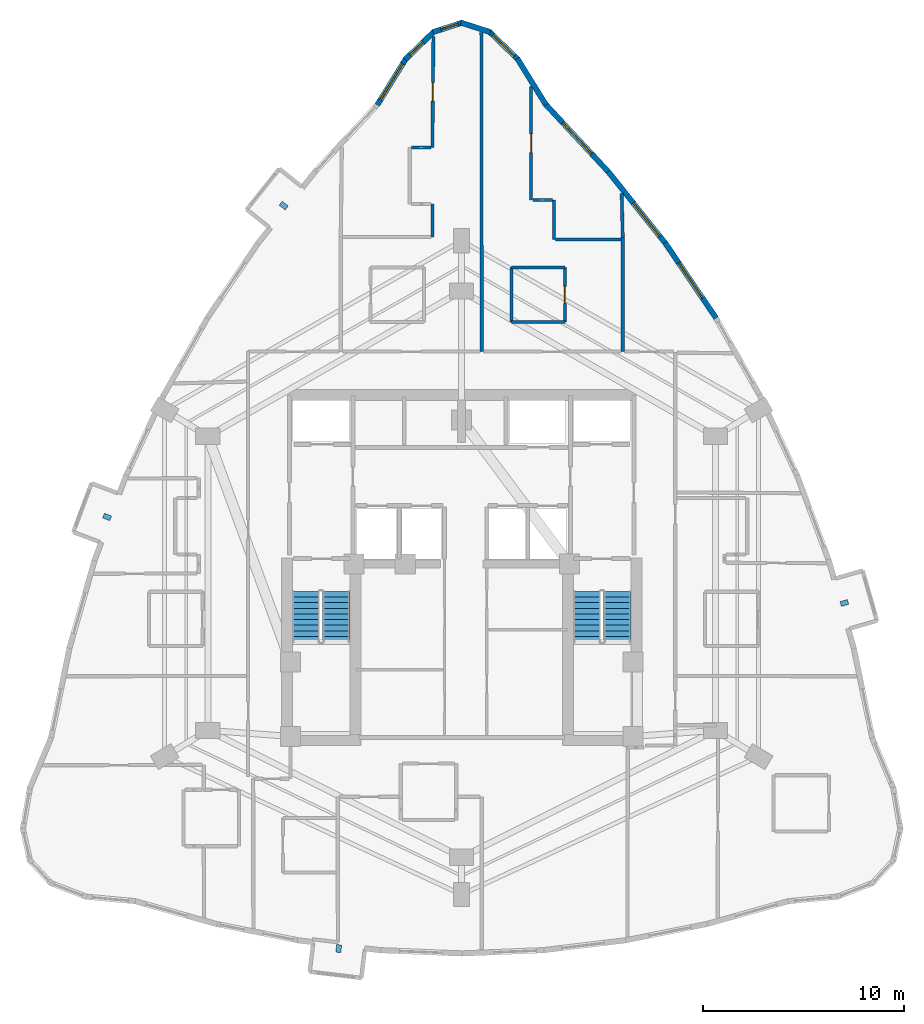
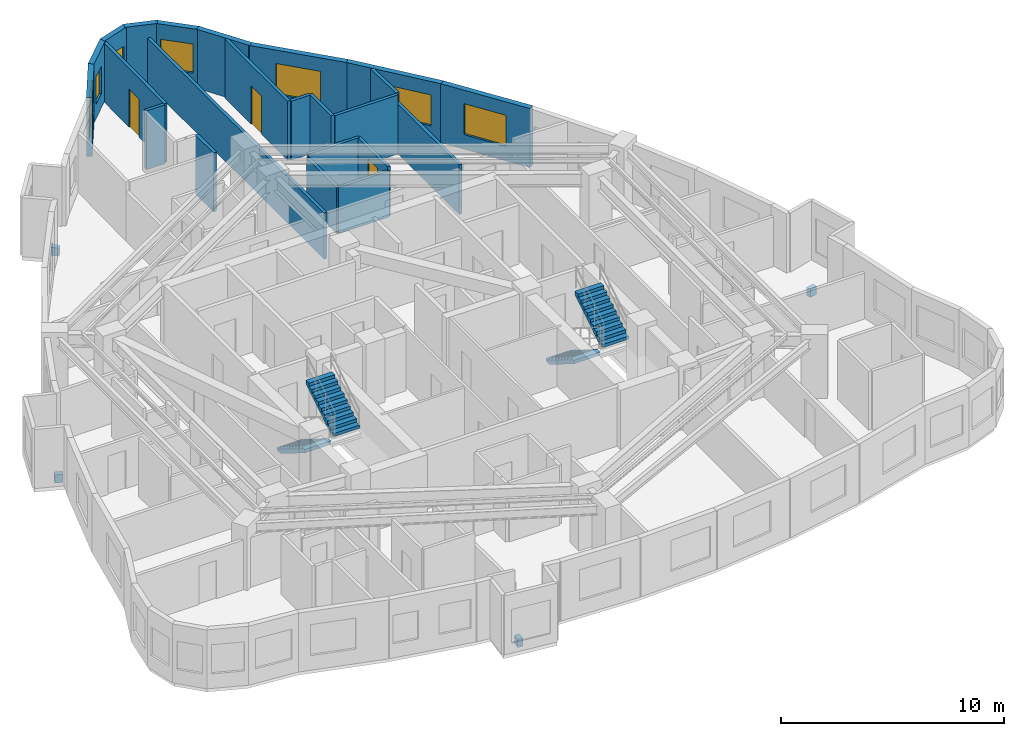
# One storey, part 13 of 14: 23 walls, 7 windows, 4 discrete accessories, 4 stair flights, 3 doors, 10 openings, 2 elements without a shape of their own.
"""IFC4 building model written with IfcOpenShell, lengths in metres."""

import ifcopenshell
import ifcopenshell.guid

model = None  # the IFC model being written
_history = None  # IfcOwnerHistory: only IFC2X3 demands one
_inside = {}  # id of a spatial element -> (the spatial element, [elements in it])
_under = {}  # id of a project, library or spatial element -> (it, [spatial elements below it])
_declared = {}  # id of a project -> (the project, [libraries it declares])
_typed = {}  # id of a type object -> (the type object, [elements of that type])
_made_of = {}  # id of a material, layer set ... -> (it, [elements and type objects made of it])


def new_model(schema):
    """Start an empty IFC model of exactly this schema.

    Asked for "IFC4X3", IfcOpenShell would pick the latest addendum, in which some entities
    have other attributes; the version numbers below select the first issue.
    IFC2X3 requires an IfcOwnerHistory on every rooted entity: one is made here for all.
    """
    global model, _history
    if schema == "IFC4X3":
        model = ifcopenshell.file(schema_version=(4, 3, 0, 0))
    else:
        model = ifcopenshell.file(schema=schema)
    _inside.clear()
    _under.clear()
    _declared.clear()
    _typed.clear()
    _made_of.clear()
    _history = None
    if model.schema == "IFC2X3":
        org = make("IfcOrganization", Name="unknown")
        user = make(
            "IfcPersonAndOrganization",
            ThePerson=make("IfcPerson", FamilyName="unknown"),
            TheOrganization=org,
        )
        app = make(
            "IfcApplication",
            ApplicationDeveloper=org,
            Version="unknown",
            ApplicationFullName="unknown",
            ApplicationIdentifier="unknown",
        )
        _history = make(
            "IfcOwnerHistory",
            OwningUser=user,
            OwningApplication=app,
            ChangeAction="ADDED",
            CreationDate=0,
        )
    return model


def make(cls, **values):
    """One entity of the class cls with the attributes given. An attribute that is None is left unset."""
    return model.create_entity(
        cls, **{name: value for name, value in values.items() if value is not None}
    )


def rooted(cls, **values):
    """An entity with a GlobalId (a new one), such as an element, a storey or a relation."""
    return make(cls, GlobalId=ifcopenshell.guid.new(), OwnerHistory=_history, **values)


def si_unit(unit_type, name, prefix=None):
    """IfcSIUnit, for example si_unit("LENGTHUNIT", "METRE", prefix="MILLI")."""
    return make("IfcSIUnit", UnitType=unit_type, Prefix=prefix, Name=name)


def assignment(units):
    """IfcUnitAssignment: the units of a project."""
    return None if units is None else make("IfcUnitAssignment", Units=units)


def point(xyz):
    """IfcCartesianPoint."""
    return None if xyz is None else make("IfcCartesianPoint", Coordinates=xyz)


def direction(xyz):
    """IfcDirection."""
    return None if xyz is None else make("IfcDirection", DirectionRatios=xyz)


def frame(location, z_axis=None, x_axis=None):
    """IfcAxis2Placement3D, a coordinate frame: its origin and axes. An axis left out is left unset."""
    return make(
        "IfcAxis2Placement3D",
        Location=point(location),
        Axis=direction(z_axis),
        RefDirection=direction(x_axis),
    )


def frame_2d(location, x_axis=None):
    """IfcAxis2Placement2D, a coordinate frame in the plane: its origin and x axis."""
    return make(
        "IfcAxis2Placement2D", Location=point(location), RefDirection=direction(x_axis)
    )


def origin():
    """The frame at (0, 0, 0) with its axes left unset."""
    return frame((0.0, 0.0, 0.0))


def origin_2d():
    """The frame at (0, 0) in the plane with its x axis left unset."""
    return frame_2d((0.0, 0.0))


def place(relative_to, where):
    """IfcLocalPlacement: puts the frame where relative to a parent placement (None: the world)."""
    return make(
        "IfcLocalPlacement", PlacementRelTo=relative_to, RelativePlacement=where
    )


def context(
    kind, dimensions, precision=None, world=None, true_north=None, identifier=None
):
    """IfcGeometricRepresentationContext, for example the 3D "Model" context."""
    return make(
        "IfcGeometricRepresentationContext",
        ContextIdentifier=identifier,
        ContextType=kind,
        CoordinateSpaceDimension=dimensions,
        Precision=precision,
        WorldCoordinateSystem=world,
        TrueNorth=true_north,
    )


def subcontext(parent, identifier, kind, view, scale=None):
    """IfcGeometricRepresentationSubContext, for example "Body" below "Model"."""
    return make(
        "IfcGeometricRepresentationSubContext",
        ContextIdentifier=identifier,
        ContextType=kind,
        ParentContext=parent,
        TargetScale=scale,
        TargetView=view,
    )


def project(units=None, contexts=None):
    """IfcProject with its units and contexts."""
    return rooted(
        "IfcProject",
        Name="project",
        RepresentationContexts=contexts,
        UnitsInContext=assignment(units),
    )


def spatial(cls, under=None, at=None, **own):
    """A site, building, storey or space (cls), placed at a placement, below another one or the project."""
    s = rooted(cls, ObjectPlacement=at, **own)
    if under is not None:
        _under.setdefault(under.id(), (under, []))[1].append(s)
    return s


def polyline(points):
    """IfcPolyline through the points."""
    return make("IfcPolyline", Points=[point(p) for p in points])


def profile(cls, at=None, kind="AREA", **sizes):
    """A parametric profile (cls). Its sizes go by their IFC names, for example OverallWidth=200.0."""
    return make(cls, ProfileType=kind, Position=at, **sizes)


def rectangle(**sizes):
    """IfcRectangleProfileDef."""
    return profile("IfcRectangleProfileDef", **sizes)


def outline(outer, holes=None, kind="AREA"):
    """IfcArbitraryClosedProfileDef: a profile drawn as a closed curve; with holes, ...WithVoids."""
    if holes is None:
        return make("IfcArbitraryClosedProfileDef", ProfileType=kind, OuterCurve=outer)
    return make(
        "IfcArbitraryProfileDefWithVoids",
        ProfileType=kind,
        OuterCurve=outer,
        InnerCurves=holes,
    )


def extrude(swept, where, along, depth):
    """IfcExtrudedAreaSolid: the profile swept, set in the frame where, extruded along a direction by depth."""
    return make(
        "IfcExtrudedAreaSolid",
        SweptArea=swept,
        Position=where,
        ExtrudedDirection=direction(along),
        Depth=depth,
    )


def shape(context_of_items, identifier, shape_type, items):
    """IfcShapeRepresentation: the items that make up one representation, for example the "Body"."""
    return make(
        "IfcShapeRepresentation",
        ContextOfItems=context_of_items,
        RepresentationIdentifier=identifier,
        RepresentationType=shape_type,
        Items=items,
    )


def material(Name=None, Category=None):
    """IfcMaterial."""
    return make("IfcMaterial", Name=Name, Category=Category)


def layer(
    of_material, thickness, ventilated=None, Name=None, Category=None, Priority=None
):
    """IfcMaterialLayer: one layer of a wall or slab, of a material (None: an air gap)."""
    return make(
        "IfcMaterialLayer",
        Material=of_material,
        LayerThickness=thickness,
        IsVentilated=ventilated,
        Name=Name,
        Category=Category,
        Priority=Priority,
    )


def layer_set(layers, Name=None):
    """IfcMaterialLayerSet."""
    return make("IfcMaterialLayerSet", MaterialLayers=layers, LayerSetName=Name)


def made_of(thing, what):
    """Note that an element or type object is made of a material, layer set ...; save() writes the relation."""
    if what is not None:
        _made_of.setdefault(what.id(), (what, []))[1].append(thing)
    return thing


def type_object(cls, material=None, **own):
    """A type object (cls), such as IfcWallType, which elements share."""
    return made_of(rooted(cls, **own), material)


def element(
    cls,
    number,
    at=None,
    inside=None,
    cuts=None,
    type_object=None,
    material=None,
    context=None,
    identifier="Body",
    shape_type=None,
    held_by="IfcProductDefinitionShape",
    body=None,
    shapes=None,
    **own,
):
    """One element of the class cls, such as IfcWall. Its Tag is "e" and its number.

    at: its placement. inside: the storey or other place that contains it. cuts: it is an
    opening in that element (IfcRelVoidsElement). A single representation is given by context,
    identifier, shape_type and body (its items); several are given by shapes. held_by: the class
    of the entity that holds the representations. save() writes the other relations.
    """
    e = rooted(cls, Tag="e%d" % number, ObjectPlacement=at, **own)
    if body is not None:
        shapes = [shape(context, identifier, shape_type, body)]
    if shapes is not None:
        e.Representation = make(held_by, Representations=shapes)
    if inside is not None:
        _inside.setdefault(inside.id(), (inside, []))[1].append(e)
    if cuts is not None:
        rooted(
            "IfcRelVoidsElement", RelatingBuildingElement=cuts, RelatedOpeningElement=e
        )
    if type_object is not None:
        _typed.setdefault(type_object.id(), (type_object, []))[1].append(e)
    return made_of(e, material)


def fill(opening, filler):
    """IfcRelFillsElement: the door or window that sits in an opening."""
    return rooted(
        "IfcRelFillsElement",
        RelatingOpeningElement=opening,
        RelatedBuildingElement=filler,
    )


def aggregate(whole, parts):
    """IfcRelAggregates: a whole, such as a stair, and the parts it consists of."""
    return rooted("IfcRelAggregates", RelatingObject=whole, RelatedObjects=parts)


def save(model, path):
    """Write the relations noted so far, then the file.

    IfcRelAggregates (storeys below a building ...), IfcRelContainedInSpatialStructure (elements
    in a storey), IfcRelDefinesByType, IfcRelAssociatesMaterial and IfcRelDeclares: one each for
    every whole, place, type object, material and project.
    """
    for whole, parts in _under.values():
        aggregate(whole, parts)
    for where, things in _inside.values():
        rooted(
            "IfcRelContainedInSpatialStructure",
            RelatedElements=things,
            RelatingStructure=where,
        )
    for kind, things in _typed.values():
        rooted("IfcRelDefinesByType", RelatedObjects=things, RelatingType=kind)
    for what, things in _made_of.values():
        rooted("IfcRelAssociatesMaterial", RelatedObjects=things, RelatingMaterial=what)
    for by, libraries in _declared.values():
        rooted("IfcRelDeclares", RelatingContext=by, RelatedDefinitions=libraries)
    model.write(path)


model = new_model("IFC4")

# Units and contexts
model_context = context("Model", 3, precision=1e-05, world=origin(), true_north=direction((0.0, 1.0)))
body_context = subcontext(model_context, "Body", "Model", "MODEL_VIEW")
ifc_project = project(units=[si_unit("LENGTHUNIT", "METRE"), si_unit("AREAUNIT", "SQUARE_METRE"), si_unit("VOLUMEUNIT", "CUBIC_METRE"), si_unit("PLANEANGLEUNIT", "RADIAN"), si_unit("MASSUNIT", "GRAM", prefix="KILO")], contexts=[model_context])

# Site, building, storey
site_placement = place(None, origin())
site = spatial("IfcSite", under=ifc_project, at=site_placement, CompositionType="ELEMENT")
building_placement = place(site_placement, origin())
building = spatial("IfcBuilding", under=site, at=building_placement, Name="Miruveldt Soraemaru", CompositionType="ELEMENT")
storey_placement = place(building_placement, frame((0.0, 0.0, 128.39990234375)))
storey = spatial("IfcBuildingStorey", under=building, at=storey_placement, Name="L35", CompositionType="ELEMENT", Elevation=128.39990234375)

# Wall
ifc_material_1 = material(Name="Precast concrete C45/55 (45 MPa)", Category="concrete")
ifc_layer_1 = layer(ifc_material_1, 0.27001953125, Name="Precast concrete C45/55 (45 MPa)", Category="concrete")
ifc_layer_set_1 = layer_set([ifc_layer_1], Name="Precast concrete C45/55 (45 MPa)")
wall_type_1 = type_object("IfcWallType", Name="WALL-EXT-PC270", PredefinedType="SOLIDWALL", material=ifc_layer_set_1)
wall_1_placement = place(storey_placement, frame((48.189208984375, 66.84521484375, 0.0), z_axis=(0.0, 0.0, 1.0), x_axis=(-0.526069525275, 0.850441564469, 0.0)))
element("IfcWall", 1, at=wall_1_placement, inside=storey, type_object=wall_type_1, Name="L35 Precast Concrete Facade Wall 1", PredefinedType="SOLIDWALL", context=body_context, shape_type="SweptSolid", body=[
    extrude(rectangle(XDim=2.712646484375, YDim=0.27001953125, at=frame_2d((1.3564453125, 0.0))), origin(), (0.0, 0.0, 1.0), 3.235107421875),
])

# Wall, opening, window
wall_2_placement = place(storey_placement, frame((46.8056640625, 69.097900390625, 0.0), z_axis=(0.0, 0.0, 1.0), x_axis=(-0.717850649677, 0.696197130673, 0.0)))
wall_2 = element("IfcWall", 2, at=wall_2_placement, inside=storey, type_object=wall_type_1, Name="L35 Precast Concrete Facade Wall 2", PredefinedType="SOLIDWALL", context=body_context, shape_type="SweptSolid", body=[
    extrude(rectangle(XDim=2.0068359375, YDim=0.27001953125, at=frame_2d((1.00341796875, 0.0))), origin(), (0.0, 0.0, 1.0), 3.235107421875),
])
opening_1_placement = place(wall_2_placement, frame((0.25390625, 0.0, 0.800048828125)))
opening_1 = element("IfcOpeningElement", 3, at=opening_1_placement, cuts=wall_2, Name="Opening WN-3", PredefinedType="OPENING", context=body_context, shape_type="SweptSolid", body=[
    extrude(rectangle(XDim=1.5, YDim=1.60009765625, at=frame_2d((0.75, 0.800048828125))), frame((0.0, 0.14501953125, 0.0), z_axis=(0.0, -1.0, 0.0), x_axis=(1.0, 0.0, 0.0)), (0.0, 0.0, 1.0), 0.2900390625),
])
ifc_material_2 = material(Name="Triple low-e insulated glazing", Category="glass")
window_type_1 = type_object("IfcWindowType", Name="WIN-PUNCH-1500x1600", PartitioningType="SINGLE_PANEL", PredefinedType="WINDOW", material=ifc_material_2)
window_1_placement = place(opening_1_placement, origin())
window_1 = element("IfcWindow", 4, at=window_1_placement, inside=storey, type_object=window_type_1, Name="L35 Punched Triple-Glazed Window 02.1", OverallHeight=1.60009765625, OverallWidth=1.5, PartitioningType="SINGLE_PANEL", PredefinedType="WINDOW", context=body_context, shape_type="SweptSolid", body=[
    extrude(rectangle(XDim=1.5, YDim=1.60009765625, at=frame_2d((0.75, 0.800048828125))), frame((0.0, 0.030029296875, 0.0), z_axis=(0.0, -1.0, 0.0), x_axis=(1.0, 0.0, 0.0)), (0.0, 0.0, 1.0), 0.06005859375),
])
fill(opening_1, window_1)

# Wall
wall_3_placement = place(storey_placement, frame((45.423583984375, 70.4599609375, 0.0), z_axis=(0.0, 0.0, 1.0), x_axis=(-0.95146786592, 0.307748111484, 0.0)))
element("IfcWall", 5, at=wall_3_placement, inside=storey, type_object=wall_type_1, Name="L35 Precast Concrete Facade Wall 3", PredefinedType="SOLIDWALL", context=body_context, shape_type="SweptSolid", body=[
    extrude(rectangle(XDim=1.531005859375, YDim=0.27001953125, at=frame_2d((0.765625, 0.0))), origin(), (0.0, 0.0, 1.0), 3.235107421875),
])

# Wall, opening, window
wall_4_placement = place(storey_placement, frame((44.033203125, 70.93115234375, 0.0), z_axis=(0.0, 0.0, 1.0), x_axis=(-0.95146786592, -0.307748111484, 0.0)))
wall_4 = element("IfcWall", 6, at=wall_4_placement, inside=storey, type_object=wall_type_1, Name="L35 Precast Concrete Facade Wall 4", PredefinedType="SOLIDWALL", context=body_context, shape_type="SweptSolid", body=[
    extrude(rectangle(XDim=1.531005859375, YDim=0.27001953125, at=frame_2d((0.765625, 0.0))), origin(), (0.0, 0.0, 1.0), 3.235107421875),
])
opening_2_placement = place(wall_4_placement, frame((0.217041015625, 0.0, 0.780029296875)))
opening_2 = element("IfcOpeningElement", 7, at=opening_2_placement, cuts=wall_4, Name="Opening WN-7", PredefinedType="OPENING", context=body_context, shape_type="SweptSolid", body=[
    extrude(rectangle(XDim=0.89990234375, YDim=1.5, at=frame_2d((0.449951171875, 0.75))), frame((0.0, 0.14501953125, 0.0), z_axis=(0.0, -1.0, 0.0), x_axis=(1.0, 0.0, 0.0)), (0.0, 0.0, 1.0), 0.2900390625),
])
window_type_2 = type_object("IfcWindowType", Name="WIN-PUNCH-900x1500", PartitioningType="SINGLE_PANEL", PredefinedType="WINDOW", material=ifc_material_2)
window_2_placement = place(opening_2_placement, origin())
window_2 = element("IfcWindow", 8, at=window_2_placement, inside=storey, type_object=window_type_2, Name="L35 Punched Triple-Glazed Window 04.1", OverallHeight=1.5, OverallWidth=0.89990234375, PartitioningType="SINGLE_PANEL", PredefinedType="WINDOW", context=body_context, shape_type="SweptSolid", body=[
    extrude(rectangle(XDim=0.89990234375, YDim=1.5, at=frame_2d((0.449951171875, 0.75))), frame((0.0, 0.030029296875, 0.0), z_axis=(0.0, -1.0, 0.0), x_axis=(1.0, 0.0, 0.0)), (0.0, 0.0, 1.0), 0.06005859375),
])
fill(opening_2, window_2)

wall_5_placement = place(storey_placement, frame((42.635009765625, 70.4951171875, 0.0), z_axis=(0.0, 0.0, 1.0), x_axis=(-0.717850649677, -0.696197130673, 0.0)))
wall_5 = element("IfcWall", 9, at=wall_5_placement, inside=storey, type_object=wall_type_1, Name="L35 Precast Concrete Facade Wall 5", PredefinedType="SOLIDWALL", context=body_context, shape_type="SweptSolid", body=[
    extrude(rectangle(XDim=2.0068359375, YDim=0.27001953125, at=frame_2d((1.00341796875, 0.0))), origin(), (0.0, 0.0, 1.0), 3.235107421875),
])
opening_3_placement = place(wall_5_placement, frame((0.77197265625, 0.0, 0.780029296875)))
opening_3 = element("IfcOpeningElement", 10, at=opening_3_placement, cuts=wall_5, Name="Opening WN-7", PredefinedType="OPENING", context=body_context, shape_type="SweptSolid", body=[
    extrude(rectangle(XDim=0.89990234375, YDim=1.5, at=frame_2d((0.449951171875, 0.75))), frame((0.0, 0.14501953125, 0.0), z_axis=(0.0, -1.0, 0.0), x_axis=(1.0, 0.0, 0.0)), (0.0, 0.0, 1.0), 0.2900390625),
])
window_3_placement = place(opening_3_placement, origin())
window_3 = element("IfcWindow", 11, at=window_3_placement, inside=storey, type_object=window_type_2, Name="L35 Punched Triple-Glazed Window 05.1", OverallHeight=1.5, OverallWidth=0.89990234375, PartitioningType="SINGLE_PANEL", PredefinedType="WINDOW", context=body_context, shape_type="SweptSolid", body=[
    extrude(rectangle(XDim=0.89990234375, YDim=1.5, at=frame_2d((0.449951171875, 0.75))), frame((0.0, 0.030029296875, 0.0), z_axis=(0.0, -1.0, 0.0), x_axis=(1.0, 0.0, 0.0)), (0.0, 0.0, 1.0), 0.06005859375),
])
fill(opening_3, window_3)

wall_6_placement = place(storey_placement, frame((41.23779296875, 69.152099609375, 0.0), z_axis=(0.0, 0.0, 1.0), x_axis=(-0.526069525275, -0.850441564469, 0.0)))
wall_6 = element("IfcWall", 12, at=wall_6_placement, inside=storey, type_object=wall_type_1, Name="L35 Precast Concrete Facade Wall 6", PredefinedType="SOLIDWALL", context=body_context, shape_type="SweptSolid", body=[
    extrude(rectangle(XDim=2.712646484375, YDim=0.27001953125, at=frame_2d((1.3564453125, 0.0))), origin(), (0.0, 0.0, 1.0), 3.235107421875),
])
opening_4_placement = place(wall_6_placement, frame((0.305908203125, 0.0, 0.800048828125)))
opening_4 = element("IfcOpeningElement", 13, at=opening_4_placement, cuts=wall_6, Name="Opening WN-1", PredefinedType="OPENING", context=body_context, shape_type="SweptSolid", body=[
    extrude(rectangle(XDim=2.10009765625, YDim=1.699951171875, at=frame_2d((1.050048828125, 0.85009765625))), frame((0.0, 0.14501953125, 0.0), z_axis=(0.0, -1.0, 0.0), x_axis=(1.0, 0.0, 0.0)), (0.0, 0.0, 1.0), 0.2900390625),
])
window_type_3 = type_object("IfcWindowType", Name="WIN-PUNCH-2100x1700", PartitioningType="SINGLE_PANEL", PredefinedType="WINDOW", material=ifc_material_2)
window_4_placement = place(opening_4_placement, origin())
window_4 = element("IfcWindow", 14, at=window_4_placement, inside=storey, type_object=window_type_3, Name="L35 Punched Triple-Glazed Window 06.1", OverallHeight=1.699951171875, OverallWidth=2.10009765625, PartitioningType="SINGLE_PANEL", PredefinedType="WINDOW", context=body_context, shape_type="SweptSolid", body=[
    extrude(rectangle(XDim=2.10009765625, YDim=1.699951171875, at=frame_2d((1.050048828125, 0.85009765625))), frame((0.0, 0.030029296875, 0.0), z_axis=(0.0, -1.0, 0.0), x_axis=(1.0, 0.0, 0.0)), (0.0, 0.0, 1.0), 0.06005859375),
])
fill(opening_4, window_4)

wall_7_placement = place(storey_placement, frame((56.63330078125, 56.262451171875, 0.0), z_axis=(0.0, 0.0, 1.0), x_axis=(-0.560820718135, 0.82793726943, 0.0)))
wall_7 = element("IfcWall", 15, at=wall_7_placement, inside=storey, type_object=wall_type_1, Name="L35 Precast Concrete Facade Wall 40", PredefinedType="SOLIDWALL", context=body_context, shape_type="SweptSolid", body=[
    extrude(rectangle(XDim=4.52685546875, YDim=0.27001953125, at=frame_2d((2.263427734375, 0.0))), origin(), (0.0, 0.0, 1.0), 3.235107421875),
])
opening_5_placement = place(wall_7_placement, frame((1.214111328125, 0.0, 0.800048828125)))
opening_5 = element("IfcOpeningElement", 16, at=opening_5_placement, cuts=wall_7, Name="Opening WN-1", PredefinedType="OPENING", context=body_context, shape_type="SweptSolid", body=[
    extrude(rectangle(XDim=2.10009765625, YDim=1.699951171875, at=frame_2d((1.050048828125, 0.85009765625))), frame((0.0, 0.14501953125, 0.0), z_axis=(0.0, -1.0, 0.0), x_axis=(1.0, 0.0, 0.0)), (0.0, 0.0, 1.0), 0.2900390625),
])
window_5_placement = place(opening_5_placement, origin())
window_5 = element("IfcWindow", 17, at=window_5_placement, inside=storey, type_object=window_type_3, Name="L35 Punched Triple-Glazed Window 40.1", OverallHeight=1.699951171875, OverallWidth=2.10009765625, PartitioningType="SINGLE_PANEL", PredefinedType="WINDOW", context=body_context, shape_type="SweptSolid", body=[
    extrude(rectangle(XDim=2.10009765625, YDim=1.699951171875, at=frame_2d((1.050048828125, 0.85009765625))), frame((0.0, 0.030029296875, 0.0), z_axis=(0.0, -1.0, 0.0), x_axis=(1.0, 0.0, 0.0)), (0.0, 0.0, 1.0), 0.06005859375),
])
fill(opening_5, window_5)

wall_8_placement = place(storey_placement, frame((54.1357421875, 59.9541015625, 0.0), z_axis=(0.0, 0.0, 1.0), x_axis=(-0.623615994455, 0.781730830568, 0.0)))
wall_8 = element("IfcWall", 18, at=wall_8_placement, inside=storey, type_object=wall_type_1, Name="L35 Precast Concrete Facade Wall 41", PredefinedType="SOLIDWALL", context=body_context, shape_type="SweptSolid", body=[
    extrude(rectangle(XDim=4.582763671875, YDim=0.27001953125, at=frame_2d((2.29150390625, 0.0))), origin(), (0.0, 0.0, 1.0), 3.235107421875),
])
opening_6_placement = place(wall_8_placement, frame((0.491943359375, 0.0, 0.800048828125)))
opening_6 = element("IfcOpeningElement", 19, at=opening_6_placement, cuts=wall_8, Name="Opening WN-1", PredefinedType="OPENING", context=body_context, shape_type="SweptSolid", body=[
    extrude(rectangle(XDim=2.10009765625, YDim=1.699951171875, at=frame_2d((1.050048828125, 0.85009765625))), frame((0.0, 0.14501953125, 0.0), z_axis=(0.0, -1.0, 0.0), x_axis=(1.0, 0.0, 0.0)), (0.0, 0.0, 1.0), 0.2900390625),
])
window_6_placement = place(opening_6_placement, origin())
window_6 = element("IfcWindow", 20, at=window_6_placement, inside=storey, type_object=window_type_3, Name="L35 Punched Triple-Glazed Window 41.1", OverallHeight=1.699951171875, OverallWidth=2.10009765625, PartitioningType="SINGLE_PANEL", PredefinedType="WINDOW", context=body_context, shape_type="SweptSolid", body=[
    extrude(rectangle(XDim=2.10009765625, YDim=1.699951171875, at=frame_2d((1.050048828125, 0.85009765625))), frame((0.0, 0.030029296875, 0.0), z_axis=(0.0, -1.0, 0.0), x_axis=(1.0, 0.0, 0.0)), (0.0, 0.0, 1.0), 0.06005859375),
])
fill(opening_6, window_6)

wall_9_placement = place(storey_placement, frame((51.323486328125, 63.483642578125, 0.0), z_axis=(0.0, 0.0, 1.0), x_axis=(-0.680890565033, 0.732385170828, 0.0)))
wall_9 = element("IfcWall", 21, at=wall_9_placement, inside=storey, type_object=wall_type_1, Name="L35 Precast Concrete Facade Wall 42", PredefinedType="SOLIDWALL", context=body_context, shape_type="SweptSolid", body=[
    extrude(rectangle(XDim=4.665283203125, YDim=0.27001953125, at=frame_2d((2.33251953125, 0.0))), origin(), (0.0, 0.0, 1.0), 3.235107421875),
])
opening_7_placement = place(wall_9_placement, frame((1.281982421875, 0.0, 0.800048828125)))
opening_7 = element("IfcOpeningElement", 22, at=opening_7_placement, cuts=wall_9, Name="Opening WN-1", PredefinedType="OPENING", context=body_context, shape_type="SweptSolid", body=[
    extrude(rectangle(XDim=2.10009765625, YDim=1.699951171875, at=frame_2d((1.050048828125, 0.85009765625))), frame((0.0, 0.14501953125, 0.0), z_axis=(0.0, -1.0, 0.0), x_axis=(1.0, 0.0, 0.0)), (0.0, 0.0, 1.0), 0.2900390625),
])
window_7_placement = place(opening_7_placement, origin())
window_7 = element("IfcWindow", 23, at=window_7_placement, inside=storey, type_object=window_type_3, Name="L35 Punched Triple-Glazed Window 42.1", OverallHeight=1.699951171875, OverallWidth=2.10009765625, PartitioningType="SINGLE_PANEL", PredefinedType="WINDOW", context=body_context, shape_type="SweptSolid", body=[
    extrude(rectangle(XDim=2.10009765625, YDim=1.699951171875, at=frame_2d((1.050048828125, 0.85009765625))), frame((0.0, 0.030029296875, 0.0), z_axis=(0.0, -1.0, 0.0), x_axis=(1.0, 0.0, 0.0)), (0.0, 0.0, 1.0), 0.06005859375),
])
fill(opening_7, window_7)

# Wall, opening, door
ifc_material_3 = material(Name="Gypsum plasterboard lining", Category="gypsum")
ifc_layer_2 = layer(ifc_material_3, 0.14990234375, Name="Gypsum plasterboard lining", Category="gypsum")
ifc_layer_set_2 = layer_set([ifc_layer_2], Name="Gypsum plasterboard lining")
wall_type_2 = type_object("IfcWallType", Name="WALL-INT-PLUMB", PredefinedType="PLUMBINGWALL", material=ifc_layer_set_2)
wall_10_placement = place(storey_placement, frame((49.1298828125, 56.080078125, 0.0), z_axis=(0.0, 0.0, 1.0), x_axis=(0.0, 1.0, 0.0)))
wall_10 = element("IfcWall", 24, at=wall_10_placement, inside=storey, type_object=wall_type_2, Name="L35 Partition Wall 28", PredefinedType="PLUMBINGWALL", context=body_context, shape_type="SweptSolid", body=[
    extrude(rectangle(XDim=2.699951171875, YDim=0.14990234375, at=frame_2d((1.35009765625, 0.0))), origin(), (0.0, 0.0, 1.0), 2.72314453125),
])
opening_8_placement = place(wall_10_placement, frame((0.909912109375, 0.0, 0.0)))
opening_8 = element("IfcOpeningElement", 25, at=opening_8_placement, cuts=wall_10, Name="Opening FD3", PredefinedType="OPENING", context=body_context, shape_type="SweptSolid", body=[
    extrude(rectangle(XDim=0.85009765625, YDim=2.10009765625, at=frame_2d((0.425048828125, 1.050048828125))), frame((0.0, 0.0849609375, 0.0), z_axis=(0.0, -1.0, 0.0), x_axis=(1.0, 0.0, 0.0)), (0.0, 0.0, 1.0), 0.169921875),
])
ifc_material_4 = material(Name="Anodised aluminium EN AW-6063 T6", Category="aluminium")
door_type_1 = type_object("IfcDoorType", Name="DOOR-FD3-850", OperationType="NOTDEFINED", PredefinedType="DOOR", material=ifc_material_4)
door_1_placement = place(opening_8_placement, origin())
door_1 = element("IfcDoor", 26, at=door_1_placement, inside=storey, type_object=door_type_1, Name="L35 Unit 3503 BTH Door", OperationType="SINGLE_SWING_RIGHT", OverallHeight=2.10009765625, OverallWidth=0.85009765625, PredefinedType="DOOR", context=body_context, shape_type="SweptSolid", body=[
    extrude(rectangle(XDim=0.85009765625, YDim=2.10009765625, at=frame_2d((0.425048828125, 1.050048828125))), frame((0.0, 0.02490234375, 0.0), z_axis=(0.0, -1.0, 0.0), x_axis=(1.0, 0.0, 0.0)), (0.0, 0.0, 1.0), 0.050048828125),
])
fill(opening_8, door_1)

# Walls
wall_11_placement = place(storey_placement, frame((46.47998046875, 58.780029296875, 0.0), z_axis=(0.0, 0.0, 1.0), x_axis=(0.0, -1.0, 0.0)))
element("IfcWall", 27, at=wall_11_placement, inside=storey, type_object=wall_type_2, Name="L35 Partition Wall 30", PredefinedType="PLUMBINGWALL", context=body_context, shape_type="SweptSolid", body=[
    extrude(rectangle(XDim=2.699951171875, YDim=0.14990234375, at=frame_2d((1.35009765625, 0.0))), origin(), (0.0, 0.0, 1.0), 2.523193359375),
])
wall_12_placement = place(storey_placement, frame((49.1298828125, 58.780029296875, 0.0), z_axis=(0.0, 0.0, 1.0), x_axis=(-1.0, 0.0, 0.0)))
element("IfcWall", 28, at=wall_12_placement, inside=storey, type_object=wall_type_2, Name="L35 Partition Wall 29", PredefinedType="PLUMBINGWALL", context=body_context, shape_type="SweptSolid", body=[
    extrude(rectangle(XDim=2.64990234375, YDim=0.14990234375, at=frame_2d((1.324951171875, 0.0))), origin(), (0.0, 0.0, 1.0), 2.72314453125),
])
wall_13_placement = place(storey_placement, frame((46.47998046875, 56.080078125, 0.0), z_axis=(0.0, 0.0, 1.0), x_axis=(1.0, 0.0, 0.0)))
element("IfcWall", 29, at=wall_13_placement, inside=storey, type_object=wall_type_2, Name="L35 Partition Wall 31", PredefinedType="PLUMBINGWALL", context=body_context, shape_type="SweptSolid", body=[
    extrude(rectangle(XDim=2.64990234375, YDim=0.14990234375, at=frame_2d((1.324951171875, 0.0))), origin(), (0.0, 0.0, 1.0), 2.523193359375),
])

# Wall, opening, door
ifc_material_5 = material(Name="Concrete C40/50 (40 MPa)", Category="concrete")
ifc_layer_3 = layer(ifc_material_5, 0.159912109375, Name="Concrete C40/50 (40 MPa)", Category="concrete")
ifc_layer_set_3 = layer_set([ifc_layer_3], Name="Concrete C40/50 (40 MPa)")
wall_type_3 = type_object("IfcWallType", Name="WALL-INT-RC160", PredefinedType="SOLIDWALL", material=ifc_layer_set_3)
wall_14_placement = place(storey_placement, frame((47.449951171875, 62.1298828125, 0.0), z_axis=(0.0, 0.0, 1.0), x_axis=(0.0, 1.0, 0.0)))
wall_14 = element("IfcWall", 30, at=wall_14_placement, inside=storey, type_object=wall_type_3, Name="L35 Partition Wall 35", PredefinedType="SOLIDWALL", context=body_context, shape_type="SweptSolid", body=[
    extrude(rectangle(XDim=5.625, YDim=0.159912109375, at=frame_2d((2.8125, 0.0))), origin(), (0.0, 0.0, 1.0), 3.235107421875),
])
opening_9_placement = place(wall_14_placement, frame((2.35205078125, 0.0, 0.0)))
opening_9 = element("IfcOpeningElement", 31, at=opening_9_placement, cuts=wall_14, Name="Opening D3A", PredefinedType="OPENING", context=body_context, shape_type="SweptSolid", body=[
    extrude(rectangle(XDim=0.919921875, YDim=2.10009765625, at=frame_2d((0.4599609375, 1.050048828125))), frame((0.0, 0.08984375, 0.0), z_axis=(0.0, -1.0, 0.0), x_axis=(1.0, 0.0, 0.0)), (0.0, 0.0, 1.0), 0.179931640625),
])
door_type_2 = type_object("IfcDoorType", Name="DOOR-INT-920", OperationType="NOTDEFINED", PredefinedType="DOOR", material=ifc_material_4)
door_2_placement = place(opening_9_placement, origin())
door_2 = element("IfcDoor", 32, at=door_2_placement, inside=storey, type_object=door_type_2, Name="L35 Unit 3503 BD1 Door", OperationType="SINGLE_SWING_LEFT", OverallHeight=2.10009765625, OverallWidth=0.919921875, PredefinedType="DOOR", context=body_context, shape_type="SweptSolid", body=[
    extrude(rectangle(XDim=0.919921875, YDim=2.10009765625, at=frame_2d((0.4599609375, 1.050048828125))), frame((0.0, 0.02490234375, 0.0), z_axis=(0.0, -1.0, 0.0), x_axis=(1.0, 0.0, 0.0)), (0.0, 0.0, 1.0), 0.050048828125),
])
fill(opening_9, door_2)

wall_15_placement = place(storey_placement, frame((42.59912109375, 70.2509765625, 0.0), z_axis=(0.0, 0.0, 1.0), x_axis=(-0.008887948208, -0.999960501408, 0.0)))
wall_15 = element("IfcWall", 33, at=wall_15_placement, inside=storey, type_object=wall_type_3, Name="L35 Partition Wall 21", PredefinedType="SOLIDWALL", context=body_context, shape_type="SweptSolid", body=[
    extrude(rectangle(XDim=5.521240234375, YDim=0.159912109375, at=frame_2d((2.7607421875, 0.0))), origin(), (0.0, 0.0, 1.0), 3.235107421875),
])
opening_10_placement = place(wall_15_placement, frame((2.301025390625, 0.0, 0.0)))
opening_10 = element("IfcOpeningElement", 34, at=opening_10_placement, cuts=wall_15, Name="Opening D3A", PredefinedType="OPENING", context=body_context, shape_type="SweptSolid", body=[
    extrude(rectangle(XDim=0.919921875, YDim=2.10009765625, at=frame_2d((0.4599609375, 1.050048828125))), frame((0.0, 0.08984375, 0.0), z_axis=(0.0, -1.0, 0.0), x_axis=(1.0, 0.0, 0.0)), (0.0, 0.0, 1.0), 0.179931640625),
])
door_3_placement = place(opening_10_placement, origin())
door_3 = element("IfcDoor", 35, at=door_3_placement, inside=storey, type_object=door_type_2, Name="L35 Unit 3502 BD1 Door", OperationType="SINGLE_SWING_RIGHT", OverallHeight=2.10009765625, OverallWidth=0.919921875, PredefinedType="DOOR", context=body_context, shape_type="SweptSolid", body=[
    extrude(rectangle(XDim=0.919921875, YDim=2.10009765625, at=frame_2d((0.4599609375, 1.050048828125))), frame((0.0, 0.02490234375, 0.0), z_axis=(0.0, -1.0, 0.0), x_axis=(1.0, 0.0, 0.0)), (0.0, 0.0, 1.0), 0.050048828125),
])
fill(opening_10, door_3)

# Walls
wall_16_placement = place(storey_placement, frame((45.0, 54.60302734375, 0.0), z_axis=(0.0, 0.0, 1.0), x_axis=(-0.001325257339, 0.999999121846, 0.0)))
element("IfcWall", 36, at=wall_16_placement, inside=storey, type_object=wall_type_3, Name="L35 Partition Wall 27", PredefinedType="SOLIDWALL", context=body_context, shape_type="SweptSolid", body=[
    extrude(rectangle(XDim=15.843017578125, YDim=0.159912109375, at=frame_2d((7.92138671875, 0.0))), origin(), (0.0, 0.0, 1.0), 2.523193359375),
])
wall_17_placement = place(storey_placement, frame((52.0, 54.60009765625, 0.0), z_axis=(0.0, 0.0, 1.0), x_axis=(0.0, 1.0, 0.0)))
element("IfcWall", 37, at=wall_17_placement, inside=storey, type_object=wall_type_3, Name="L35 Partition Wall 36", PredefinedType="SOLIDWALL", context=body_context, shape_type="SweptSolid", body=[
    extrude(rectangle(XDim=5.658935546875, YDim=0.159912109375, at=frame_2d((2.82958984375, 0.0))), origin(), (0.0, 0.0, 1.0), 2.72314453125),
])
wall_18_placement = place(storey_placement, frame((51.919921875, 60.169921875, 0.0), z_axis=(0.0, 0.0, 1.0), x_axis=(-1.0, 0.0, 0.0)))
element("IfcWall", 38, at=wall_18_placement, inside=storey, type_object=wall_type_3, Name="L35 Partition Wall 32", PredefinedType="SOLIDWALL", context=body_context, shape_type="SweptSolid", body=[
    extrude(rectangle(XDim=3.260009765625, YDim=0.159912109375, at=frame_2d((1.6298828125, 0.0))), origin(), (0.0, 0.0, 1.0), 3.235107421875),
])
wall_19_placement = place(storey_placement, frame((51.945068359375, 62.458984375, 0.0), z_axis=(0.0, 0.0, 1.0), x_axis=(0.023963818723, -0.999712826462, 0.0)))
element("IfcWall", 39, at=wall_19_placement, inside=storey, type_object=wall_type_3, Name="L35 Partition Wall 87", PredefinedType="SOLIDWALL", context=body_context, shape_type="SweptSolid", body=[
    extrude(rectangle(XDim=2.20068359375, YDim=0.159912109375, at=frame_2d((1.100341796875, 0.0))), origin(), (0.0, 0.0, 1.0), 3.235107421875),
])
wall_20_placement = place(storey_placement, frame((48.580078125, 60.169921875, 0.0), z_axis=(0.0, 0.0, 1.0), x_axis=(0.0, 1.0, 0.0)))
element("IfcWall", 40, at=wall_20_placement, inside=storey, type_object=wall_type_3, Name="L35 Partition Wall 33", PredefinedType="SOLIDWALL", context=body_context, shape_type="SweptSolid", body=[
    extrude(rectangle(XDim=1.9599609375, YDim=0.159912109375, at=frame_2d((0.97998046875, 0.0))), origin(), (0.0, 0.0, 1.0), 3.235107421875),
])
wall_21_placement = place(storey_placement, frame((42.550048828125, 61.929931640625, 0.0), z_axis=(0.0, 0.0, 1.0), x_axis=(0.0, -1.0, 0.0)))
element("IfcWall", 41, at=wall_21_placement, inside=storey, type_object=wall_type_3, Name="L35 Partition Wall 25", PredefinedType="SOLIDWALL", context=body_context, shape_type="SweptSolid", body=[
    extrude(rectangle(XDim=1.64697265625, YDim=0.159912109375, at=frame_2d((0.823486328125, 0.0))), origin(), (0.0, 0.0, 1.0), 3.235107421875),
])
wall_22_placement = place(storey_placement, frame((48.5, 62.1298828125, 0.0), z_axis=(0.0, 0.0, 1.0), x_axis=(-1.0, 0.0, 0.0)))
element("IfcWall", 42, at=wall_22_placement, inside=storey, type_object=wall_type_3, Name="L35 Partition Wall 34", PredefinedType="SOLIDWALL", context=body_context, shape_type="SweptSolid", body=[
    extrude(rectangle(XDim=0.969970703125, YDim=0.159912109375, at=frame_2d((0.48486328125, 0.0))), origin(), (0.0, 0.0, 1.0), 3.235107421875),
])
wall_23_placement = place(storey_placement, frame((42.469970703125, 64.72998046875, 0.0), z_axis=(0.0, 0.0, 1.0), x_axis=(-1.0, 0.0, 0.0)))
element("IfcWall", 43, at=wall_23_placement, inside=storey, type_object=wall_type_3, Name="L35 Partition Wall 22", PredefinedType="SOLIDWALL", context=body_context, shape_type="SweptSolid", body=[
    extrude(rectangle(XDim=0.9599609375, YDim=0.159912109375, at=frame_2d((0.47998046875, 0.0))), origin(), (0.0, 0.0, 1.0), 3.235107421875),
])

# Stair, stair flights
stair_type = type_object("IfcStairType", Name="STAIR-DL-350", PredefinedType="HALF_TURN_STAIR", material=ifc_material_5)
stair_1_placement = place(storey_placement, origin())
stair_1 = element("IfcStair", 44, at=stair_1_placement, inside=storey, type_object=stair_type, Name="L35 Protected Exit Stair ST-1", PredefinedType="HALF_TURN_STAIR")
stair_flight_type = type_object("IfcStairFlightType", Name="SFL-DL-350", PredefinedType="STRAIGHT", material=ifc_material_5)
stair_flight_1_placement = place(storey_placement, frame((36.27490234375, 42.699951171875, 0.0), z_axis=(0.0, 0.0, 1.0), x_axis=(0.0, -1.0, 0.0)))
stair_flight_1 = element("IfcStairFlight", 45, at=stair_flight_1_placement, type_object=stair_flight_type, Name="ST-1 flight 1", NumberOfRisers=10, NumberOfTreads=9, PredefinedType="STRAIGHT", RiserHeight=0.175, TreadLength=0.28, context=body_context, shape_type="SweptSolid", body=[
    extrude(outline(polyline([(0.0, 0.0), (0.0, 0.175048828125), (0.280029296875, 0.175048828125), (0.280029296875, 0.35009765625), (0.56005859375, 0.35009765625), (0.56005859375, 0.52490234375), (0.840087890625, 0.52490234375), (0.840087890625, 0.699951171875), (1.1201171875, 0.699951171875), (1.1201171875, 0.875), (1.39990234375, 0.875), (1.39990234375, 1.050048828125), (1.679931640625, 1.050048828125), (1.679931640625, 1.22509765625), (1.9599609375, 1.22509765625), (1.9599609375, 1.39990234375), (2.239990234375, 1.39990234375), (2.239990234375, 1.574951171875), (2.52001953125, 1.574951171875), (2.52001953125, 1.75), (2.52001953125, 1.386474609375), (0.3017578125, 0.0), (0.0, 0.0)])), frame((0.0, 0.675048828125, 0.0), z_axis=(0.0, -1.0, 0.0), x_axis=(1.0, 0.0, 0.0)), (0.0, 0.0, 1.0), 1.35009765625),
])
stair_flight_2_placement = place(storey_placement, frame((37.77490234375, 40.179931640625, 1.75), z_axis=(0.0, 0.0, 1.0), x_axis=(0.0, 1.0, 0.0)))
stair_flight_2 = element("IfcStairFlight", 46, at=stair_flight_2_placement, type_object=stair_flight_type, Name="ST-1 flight 2", NumberOfRisers=10, NumberOfTreads=9, PredefinedType="STRAIGHT", RiserHeight=0.175, TreadLength=0.28, context=body_context, shape_type="SweptSolid", body=[
    extrude(outline(polyline([(0.0, 0.0), (0.0, 0.175048828125), (0.280029296875, 0.175048828125), (0.280029296875, 0.35009765625), (0.56005859375, 0.35009765625), (0.56005859375, 0.52490234375), (0.840087890625, 0.52490234375), (0.840087890625, 0.699951171875), (1.1201171875, 0.699951171875), (1.1201171875, 0.875), (1.39990234375, 0.875), (1.39990234375, 1.050048828125), (1.679931640625, 1.050048828125), (1.679931640625, 1.22509765625), (1.9599609375, 1.22509765625), (1.9599609375, 1.39990234375), (2.239990234375, 1.39990234375), (2.239990234375, 1.574951171875), (2.52001953125, 1.574951171875), (2.52001953125, 1.75), (2.52001953125, 1.386474609375), (0.3017578125, 0.0), (0.0, 0.0)])), frame((0.0, 0.675048828125, 0.0), z_axis=(0.0, -1.0, 0.0), x_axis=(1.0, 0.0, 0.0)), (0.0, 0.0, 1.0), 1.35009765625),
])
aggregate(stair_1, [stair_flight_1, stair_flight_2])

stair_2_placement = place(storey_placement, origin())
stair_2 = element("IfcStair", 47, at=stair_2_placement, inside=storey, type_object=stair_type, Name="L35 Protected Exit Stair ST-2", PredefinedType="HALF_TURN_STAIR")
stair_flight_3_placement = place(storey_placement, frame((50.22509765625, 42.699951171875, 0.0), z_axis=(0.0, 0.0, 1.0), x_axis=(0.0, -1.0, 0.0)))
stair_flight_3 = element("IfcStairFlight", 48, at=stair_flight_3_placement, type_object=stair_flight_type, Name="ST-2 flight 1", NumberOfRisers=10, NumberOfTreads=9, PredefinedType="STRAIGHT", RiserHeight=0.175, TreadLength=0.28, context=body_context, shape_type="SweptSolid", body=[
    extrude(outline(polyline([(0.0, 0.0), (0.0, 0.175048828125), (0.280029296875, 0.175048828125), (0.280029296875, 0.35009765625), (0.56005859375, 0.35009765625), (0.56005859375, 0.52490234375), (0.840087890625, 0.52490234375), (0.840087890625, 0.699951171875), (1.1201171875, 0.699951171875), (1.1201171875, 0.875), (1.39990234375, 0.875), (1.39990234375, 1.050048828125), (1.679931640625, 1.050048828125), (1.679931640625, 1.22509765625), (1.9599609375, 1.22509765625), (1.9599609375, 1.39990234375), (2.239990234375, 1.39990234375), (2.239990234375, 1.574951171875), (2.52001953125, 1.574951171875), (2.52001953125, 1.75), (2.52001953125, 1.386474609375), (0.3017578125, 0.0), (0.0, 0.0)])), frame((0.0, 0.675048828125, 0.0), z_axis=(0.0, -1.0, 0.0), x_axis=(1.0, 0.0, 0.0)), (0.0, 0.0, 1.0), 1.35009765625),
])
stair_flight_4_placement = place(storey_placement, frame((51.72509765625, 40.179931640625, 1.75), z_axis=(0.0, 0.0, 1.0), x_axis=(0.0, 1.0, 0.0)))
stair_flight_4 = element("IfcStairFlight", 49, at=stair_flight_4_placement, type_object=stair_flight_type, Name="ST-2 flight 2", NumberOfRisers=10, NumberOfTreads=9, PredefinedType="STRAIGHT", RiserHeight=0.175, TreadLength=0.28, context=body_context, shape_type="SweptSolid", body=[
    extrude(outline(polyline([(0.0, 0.0), (0.0, 0.175048828125), (0.280029296875, 0.175048828125), (0.280029296875, 0.35009765625), (0.56005859375, 0.35009765625), (0.56005859375, 0.52490234375), (0.840087890625, 0.52490234375), (0.840087890625, 0.699951171875), (1.1201171875, 0.699951171875), (1.1201171875, 0.875), (1.39990234375, 0.875), (1.39990234375, 1.050048828125), (1.679931640625, 1.050048828125), (1.679931640625, 1.22509765625), (1.9599609375, 1.22509765625), (1.9599609375, 1.39990234375), (2.239990234375, 1.39990234375), (2.239990234375, 1.574951171875), (2.52001953125, 1.574951171875), (2.52001953125, 1.75), (2.52001953125, 1.386474609375), (0.3017578125, 0.0), (0.0, 0.0)])), frame((0.0, 0.675048828125, 0.0), z_axis=(0.0, -1.0, 0.0), x_axis=(1.0, 0.0, 0.0)), (0.0, 0.0, 1.0), 1.35009765625),
])
aggregate(stair_2, [stair_flight_3, stair_flight_4])

# Discrete accessories
ifc_material_6 = material(Name="Steel SM355 (355 MPa)", Category="steel")
discrete_accessory_type = type_object("IfcDiscreteAccessoryType", Name="ACC-BAY-BRK", PredefinedType="BRACKET", material=ifc_material_6)
for number, where, z_axis, x_axis, name in (
    (50, (35.168212890625, 61.84521484375, -0.7099609375), (0.0, 0.0, 1.0), (-0.781738199863, 0.623606756598, 0.0), "L35 Bay Window Cantilever Bracket 1"),
    (51, (26.4033203125, 46.39208984375, -0.7099609375), (0.0, 0.0, 1.0), (-0.937105441274, 0.349046403698, 0.0), "L35 Bay Window Cantilever Bracket 2"),
    (52, (37.898193359375, 24.968505859375, -0.7099609375), (0.0, 0.0, 1.0), (-0.119131818163, -0.99287844669, 0.0), "L35 Bay Window Cantilever Bracket 3"),
    (53, (62.998779296875, 42.122314453125, -0.7099609375), (0.0, 0.0, 1.0), (0.961453892845, 0.274966201438, 0.0), "L35 Bay Window Cantilever Bracket 4"),
):
    element("IfcDiscreteAccessory", number, at=place(storey_placement, frame(where, z_axis=z_axis, x_axis=x_axis)), inside=storey, type_object=discrete_accessory_type, Name=name, PredefinedType="BRACKET", context=body_context, shape_type="SweptSolid", body=[
        extrude(rectangle(XDim=0.3798828125, YDim=0.25, at=origin_2d()), origin(), (0.0, 0.0, 1.0), 0.449951171875),
    ])

save(model, "model.ifc")
